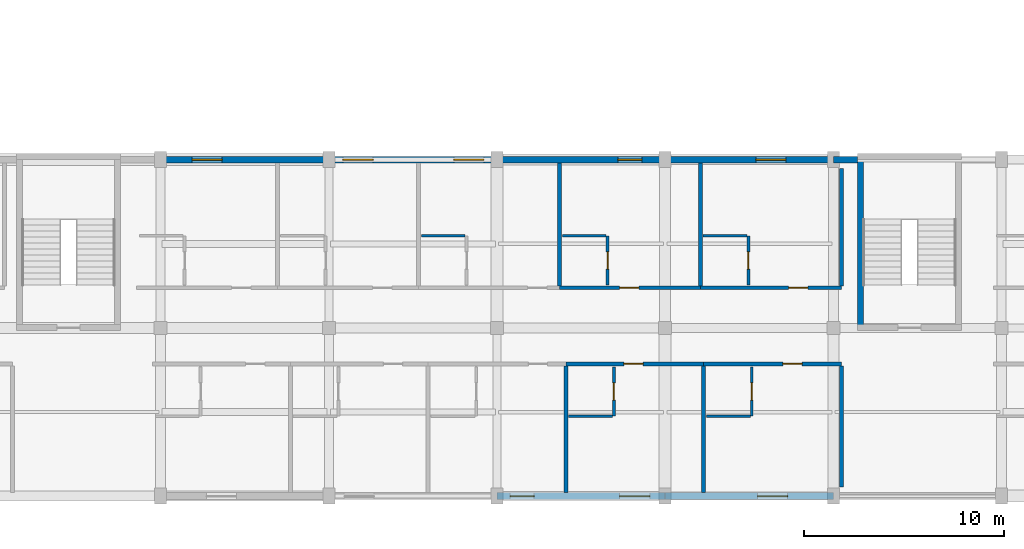
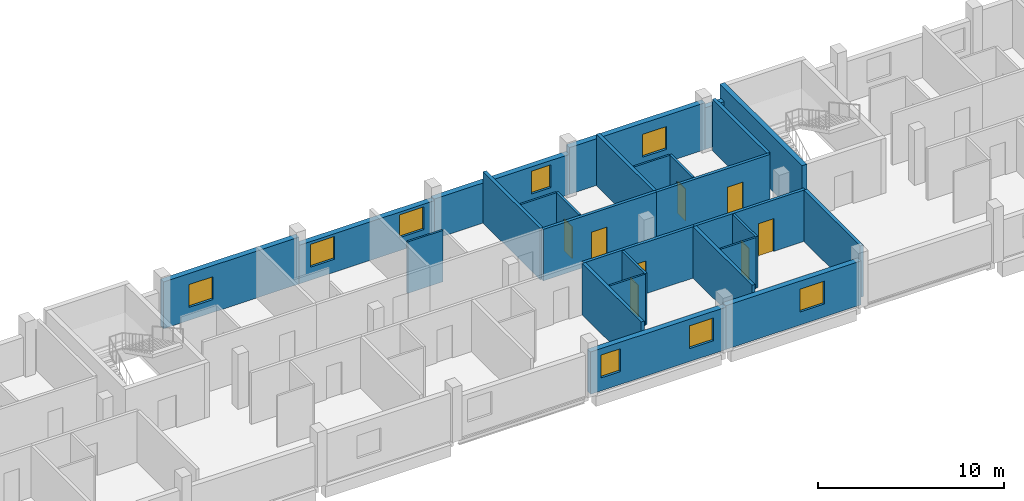
# One storey, part 20 of 26: 27 walls, 8 doors, 8 windows, 16 openings.
"""IFC4 building model written with IfcOpenShell, lengths in metres."""

from ifc_helpers import new_model, si_unit, derived_unit, direction, frame, frame_2d, origin, place, context, subcontext, project, spatial, rectangle, extrude, material, layer, layer_set, type_object, element, fill, save


model = new_model("IFC4")

# Units and contexts
model_context = context("Model", 3, precision=1e-05, world=origin(), true_north=direction((0.0, 1.0)))
body_context = subcontext(model_context, "Body", "Model", "MODEL_VIEW")
ifc_project = project(units=[si_unit("LENGTHUNIT", "METRE"), si_unit("AREAUNIT", "SQUARE_METRE"), si_unit("VOLUMEUNIT", "CUBIC_METRE"), si_unit("PLANEANGLEUNIT", "RADIAN"), si_unit("MASSUNIT", "GRAM", prefix="KILO"), derived_unit("THERMALTRANSMITTANCEUNIT", [(si_unit("POWERUNIT", "WATT"), 1), (si_unit("LENGTHUNIT", "METRE"), -2), (si_unit("THERMODYNAMICTEMPERATUREUNIT", "KELVIN"), -1)])], contexts=[model_context])

# Site, building, storey
site_placement = place(None, origin())
site = spatial("IfcSite", under=ifc_project, at=site_placement, CompositionType="ELEMENT")
building_placement = place(site_placement, origin())
building = spatial("IfcBuilding", under=site, at=building_placement, Name="Barrovel Congress Hotel", CompositionType="ELEMENT")
storey_placement = place(building_placement, frame((0.0, 0.0, 21.89990234375)))
storey = spatial("IfcBuildingStorey", under=building, at=storey_placement, Name="L05", CompositionType="ELEMENT", Elevation=21.89990234375)

# Wall, opening, window
ifc_material_1 = material(Name="Fired Clay Brick Masonry", Category="masonry")
ifc_layer_1 = layer(ifc_material_1, 0.340087890625)
ifc_layer_set_1 = layer_set([ifc_layer_1], Name="Fired Clay Brick Masonry")
wall_type_1 = type_object("IfcWallType", Name="EW-BRK340", PredefinedType="STANDARD", material=ifc_layer_set_1)
wall_1_placement = place(storey_placement, frame((142.800048828125, 21.0, 0.0), z_axis=(0.0, 0.0, 1.0), x_axis=(-1.0, 0.0, 0.0)))
wall_1 = element("IfcWall", 1, at=wall_1_placement, inside=storey, type_object=wall_type_1, Name="EW:L05:HS-NE-2", PredefinedType="STANDARD", context=body_context, shape_type="SweptSolid", body=[
    extrude(rectangle(XDim=8.400146484375, YDim=0.340087890625, at=frame_2d((4.2001953125, 0.0))), origin(), (0.0, 0.0, 1.0), 3.070068359375),
])
opening_1_placement = place(wall_1_placement, frame((2.3701171875, 0.0, 0.85009765625)))
opening_1 = element("IfcOpeningElement", 2, at=opening_1_placement, cuts=wall_1, Name="Opening WN-07", PredefinedType="OPENING", context=body_context, shape_type="SweptSolid", body=[
    extrude(rectangle(XDim=1.5, YDim=1.5, at=frame_2d((0.75, 0.75))), frame((0.0, 0.18017578125, 0.0), z_axis=(0.0, -1.0, 0.0), x_axis=(1.0, 0.0, 0.0)), (0.0, 0.0, 1.0), 0.360107421875),
])
ifc_material_2 = material(Name="Double Low-E Insulated Glazing", Category="glass")
window_type_1 = type_object("IfcWindowType", Name="WIN-WN-07", PartitioningType="SINGLE_PANEL", PredefinedType="WINDOW", material=ifc_material_2)
window_1_placement = place(opening_1_placement, origin())
window_1 = element("IfcWindow", 3, at=window_1_placement, inside=storey, type_object=window_type_1, Name="WIN:L05:U29", OverallHeight=1.5, OverallWidth=1.5, PartitioningType="SINGLE_PANEL", PredefinedType="WINDOW", context=body_context, shape_type="SweptSolid", body=[
    extrude(rectangle(XDim=1.5, YDim=1.5, at=frame_2d((0.75, 0.75))), frame((0.0, 0.030029296875, 0.0), z_axis=(0.0, -1.0, 0.0), x_axis=(1.0, 0.0, 0.0)), (0.0, 0.0, 1.0), 0.06005859375),
])
fill(opening_1, window_1)

# Wall, openings, windows
wall_2_placement = place(storey_placement, frame((126.0, 4.199951171875, 0.0), z_axis=(0.0, 0.0, 1.0), x_axis=(1.0, 0.0, 0.0)))
wall_2 = element("IfcWall", 4, at=wall_2_placement, inside=storey, type_object=wall_type_1, Name="EW:L05:HS-S:P12", PredefinedType="STANDARD", context=body_context, shape_type="SweptSolid", body=[
    extrude(rectangle(XDim=8.39990234375, YDim=0.340087890625, at=frame_2d((4.199951171875, 0.0))), origin(), (0.0, 0.0, 1.0), 2.780029296875),
])
opening_2_placement = place(wall_2_placement, frame((0.64990234375, 0.0, 0.85009765625)))
opening_2 = element("IfcOpeningElement", 5, at=opening_2_placement, cuts=wall_2, Name="Opening WN-06", PredefinedType="OPENING", context=body_context, shape_type="SweptSolid", body=[
    extrude(rectangle(XDim=1.199951171875, YDim=1.5, at=frame_2d((0.60009765625, 0.75))), frame((0.0, 0.18017578125, 0.0), z_axis=(0.0, -1.0, 0.0), x_axis=(1.0, 0.0, 0.0)), (0.0, 0.0, 1.0), 0.360107421875),
])
opening_3_placement = place(wall_2_placement, frame((6.1298828125, 0.0, 0.85009765625)))
opening_3 = element("IfcOpeningElement", 6, at=opening_3_placement, cuts=wall_2, Name="Opening WN-07", PredefinedType="OPENING", context=body_context, shape_type="SweptSolid", body=[
    extrude(rectangle(XDim=1.5, YDim=1.5, at=frame_2d((0.75, 0.75))), frame((0.0, 0.18017578125, 0.0), z_axis=(0.0, -1.0, 0.0), x_axis=(1.0, 0.0, 0.0)), (0.0, 0.0, 1.0), 0.360107421875),
])
window_type_2 = type_object("IfcWindowType", Name="WIN-WN-06", PartitioningType="SINGLE_PANEL", PredefinedType="WINDOW", material=ifc_material_2)
window_2_placement = place(opening_2_placement, origin())
window_2 = element("IfcWindow", 7, at=window_2_placement, inside=storey, type_object=window_type_2, Name="WIN:L05:U16", OverallHeight=1.5, OverallWidth=1.199951171875, PartitioningType="SINGLE_PANEL", PredefinedType="WINDOW", context=body_context, shape_type="SweptSolid", body=[
    extrude(rectangle(XDim=1.199951171875, YDim=1.5, at=frame_2d((0.60009765625, 0.75))), frame((0.0, 0.030029296875, 0.0), z_axis=(0.0, -1.0, 0.0), x_axis=(1.0, 0.0, 0.0)), (0.0, 0.0, 1.0), 0.06005859375),
])
fill(opening_2, window_2)
window_3_placement = place(opening_3_placement, origin())
window_3 = element("IfcWindow", 8, at=window_3_placement, inside=storey, type_object=window_type_1, Name="WIN:L05:U17", OverallHeight=1.5, OverallWidth=1.5, PartitioningType="SINGLE_PANEL", PredefinedType="WINDOW", context=body_context, shape_type="SweptSolid", body=[
    extrude(rectangle(XDim=1.5, YDim=1.5, at=frame_2d((0.75, 0.75))), frame((0.0, 0.030029296875, 0.0), z_axis=(0.0, -1.0, 0.0), x_axis=(1.0, 0.0, 0.0)), (0.0, 0.0, 1.0), 0.06005859375),
])
fill(opening_3, window_3)

# Wall, opening, window
wall_3_placement = place(storey_placement, frame((134.39990234375, 4.199951171875, 0.0), z_axis=(0.0, 0.0, 1.0), x_axis=(1.0, 0.0, 0.0)))
wall_3 = element("IfcWall", 9, at=wall_3_placement, inside=storey, type_object=wall_type_1, Name="EW:L05:HS-S:P13", PredefinedType="STANDARD", context=body_context, shape_type="SweptSolid", body=[
    extrude(rectangle(XDim=8.400146484375, YDim=0.340087890625, at=frame_2d((4.2001953125, 0.0))), origin(), (0.0, 0.0, 1.0), 2.880126953125),
])
opening_4_placement = place(wall_3_placement, frame((4.610107421875, 0.0, 0.85009765625)))
opening_4 = element("IfcOpeningElement", 10, at=opening_4_placement, cuts=wall_3, Name="Opening WN-07", PredefinedType="OPENING", context=body_context, shape_type="SweptSolid", body=[
    extrude(rectangle(XDim=1.5, YDim=1.5, at=frame_2d((0.75, 0.75))), frame((0.0, 0.18017578125, 0.0), z_axis=(0.0, -1.0, 0.0), x_axis=(1.0, 0.0, 0.0)), (0.0, 0.0, 1.0), 0.360107421875),
])
window_4_placement = place(opening_4_placement, origin())
window_4 = element("IfcWindow", 11, at=window_4_placement, inside=storey, type_object=window_type_1, Name="WIN:L05:U18", OverallHeight=1.5, OverallWidth=1.5, PartitioningType="SINGLE_PANEL", PredefinedType="WINDOW", context=body_context, shape_type="SweptSolid", body=[
    extrude(rectangle(XDim=1.5, YDim=1.5, at=frame_2d((0.75, 0.75))), frame((0.0, 0.030029296875, 0.0), z_axis=(0.0, -1.0, 0.0), x_axis=(1.0, 0.0, 0.0)), (0.0, 0.0, 1.0), 0.06005859375),
])
fill(opening_4, window_4)

# Wall
wall_4_placement = place(storey_placement, frame((144.0, 21.0, 0.0), z_axis=(0.0, 0.0, 1.0), x_axis=(-1.0, 0.0, 0.0)))
element("IfcWall", 12, at=wall_4_placement, inside=storey, type_object=wall_type_1, Name="EW:L05:HS-NE-2:P01", PredefinedType="STANDARD", context=body_context, shape_type="SweptSolid", body=[
    extrude(rectangle(XDim=1.199951171875, YDim=0.340087890625, at=frame_2d((0.60009765625, 0.0))), origin(), (0.0, 0.0, 1.0), 2.72998046875),
])

# Wall, opening, window
wall_5_placement = place(storey_placement, frame((134.39990234375, 21.0, 0.0), z_axis=(0.0, 0.0, 1.0), x_axis=(-1.0, 0.0, 0.0)))
wall_5 = element("IfcWall", 13, at=wall_5_placement, inside=storey, type_object=wall_type_1, Name="EW:L05:HS-NE-2:P03", PredefinedType="STANDARD", context=body_context, shape_type="SweptSolid", body=[
    extrude(rectangle(XDim=8.39990234375, YDim=0.340087890625, at=frame_2d((4.199951171875, 0.0))), origin(), (0.0, 0.0, 1.0), 2.630126953125),
])
opening_5_placement = place(wall_5_placement, frame((1.159912109375, 0.0, 0.85009765625)))
opening_5 = element("IfcOpeningElement", 14, at=opening_5_placement, cuts=wall_5, Name="Opening WN-06", PredefinedType="OPENING", context=body_context, shape_type="SweptSolid", body=[
    extrude(rectangle(XDim=1.199951171875, YDim=1.5, at=frame_2d((0.60009765625, 0.75))), frame((0.0, 0.18017578125, 0.0), z_axis=(0.0, -1.0, 0.0), x_axis=(1.0, 0.0, 0.0)), (0.0, 0.0, 1.0), 0.360107421875),
])
window_5_placement = place(opening_5_placement, origin())
window_5 = element("IfcWindow", 15, at=window_5_placement, inside=storey, type_object=window_type_2, Name="WIN:L05:U28", OverallHeight=1.5, OverallWidth=1.199951171875, PartitioningType="SINGLE_PANEL", PredefinedType="WINDOW", context=body_context, shape_type="SweptSolid", body=[
    extrude(rectangle(XDim=1.199951171875, YDim=1.5, at=frame_2d((0.60009765625, 0.75))), frame((0.0, 0.030029296875, 0.0), z_axis=(0.0, -1.0, 0.0), x_axis=(1.0, 0.0, 0.0)), (0.0, 0.0, 1.0), 0.06005859375),
])
fill(opening_5, window_5)

# Wall, openings, windows
wall_6_placement = place(storey_placement, frame((126.0, 21.0, 0.0), z_axis=(0.0, 0.0, 1.0), x_axis=(-1.0, 0.0, 0.0)))
wall_6 = element("IfcWall", 16, at=wall_6_placement, inside=storey, type_object=wall_type_1, Name="EW:L05:HS-NE-2:P04", PredefinedType="STANDARD", context=body_context, shape_type="SweptSolid", body=[
    extrude(rectangle(XDim=8.39990234375, YDim=0.340087890625, at=frame_2d((4.199951171875, 0.0))), origin(), (0.0, 0.0, 1.0), 2.530029296875),
])
opening_6_placement = place(wall_6_placement, frame((6.18994140625, 0.0, 0.85009765625)))
opening_6 = element("IfcOpeningElement", 17, at=opening_6_placement, cuts=wall_6, Name="Opening WN-07", PredefinedType="OPENING", context=body_context, shape_type="SweptSolid", body=[
    extrude(rectangle(XDim=1.5, YDim=1.5, at=frame_2d((0.75, 0.75))), frame((0.0, 0.18017578125, 0.0), z_axis=(0.0, -1.0, 0.0), x_axis=(1.0, 0.0, 0.0)), (0.0, 0.0, 1.0), 0.360107421875),
])
opening_7_placement = place(wall_6_placement, frame((0.64990234375, 0.0, 0.85009765625)))
opening_7 = element("IfcOpeningElement", 18, at=opening_7_placement, cuts=wall_6, Name="Opening WN-07", PredefinedType="OPENING", context=body_context, shape_type="SweptSolid", body=[
    extrude(rectangle(XDim=1.5, YDim=1.5, at=frame_2d((0.75, 0.75))), frame((0.0, 0.18017578125, 0.0), z_axis=(0.0, -1.0, 0.0), x_axis=(1.0, 0.0, 0.0)), (0.0, 0.0, 1.0), 0.360107421875),
])
window_6_placement = place(opening_6_placement, origin())
window_6 = element("IfcWindow", 19, at=window_6_placement, inside=storey, type_object=window_type_1, Name="WIN:L05:U26", OverallHeight=1.5, OverallWidth=1.5, PartitioningType="SINGLE_PANEL", PredefinedType="WINDOW", context=body_context, shape_type="SweptSolid", body=[
    extrude(rectangle(XDim=1.5, YDim=1.5, at=frame_2d((0.75, 0.75))), frame((0.0, 0.030029296875, 0.0), z_axis=(0.0, -1.0, 0.0), x_axis=(1.0, 0.0, 0.0)), (0.0, 0.0, 1.0), 0.06005859375),
])
fill(opening_6, window_6)
window_7_placement = place(opening_7_placement, origin())
window_7 = element("IfcWindow", 20, at=window_7_placement, inside=storey, type_object=window_type_1, Name="WIN:L05:U27", OverallHeight=1.5, OverallWidth=1.5, PartitioningType="SINGLE_PANEL", PredefinedType="WINDOW", context=body_context, shape_type="SweptSolid", body=[
    extrude(rectangle(XDim=1.5, YDim=1.5, at=frame_2d((0.75, 0.75))), frame((0.0, 0.030029296875, 0.0), z_axis=(0.0, -1.0, 0.0), x_axis=(1.0, 0.0, 0.0)), (0.0, 0.0, 1.0), 0.06005859375),
])
fill(opening_7, window_7)

# Wall, opening, window
wall_7_placement = place(storey_placement, frame((117.60009765625, 21.0, 0.0), z_axis=(0.0, 0.0, 1.0), x_axis=(-1.0, 0.0, 0.0)))
wall_7 = element("IfcWall", 21, at=wall_7_placement, inside=storey, type_object=wall_type_1, Name="EW:L05:HS-NE-2:P05", PredefinedType="STANDARD", context=body_context, shape_type="SweptSolid", body=[
    extrude(rectangle(XDim=8.400146484375, YDim=0.340087890625, at=frame_2d((4.2001953125, 0.0))), origin(), (0.0, 0.0, 1.0), 3.0751953125),
])
opening_8_placement = place(wall_7_placement, frame((5.330078125, 0.0, 0.85009765625)))
opening_8 = element("IfcOpeningElement", 22, at=opening_8_placement, cuts=wall_7, Name="Opening WN-07", PredefinedType="OPENING", context=body_context, shape_type="SweptSolid", body=[
    extrude(rectangle(XDim=1.5, YDim=1.5, at=frame_2d((0.75, 0.75))), frame((0.0, 0.18017578125, 0.0), z_axis=(0.0, -1.0, 0.0), x_axis=(1.0, 0.0, 0.0)), (0.0, 0.0, 1.0), 0.360107421875),
])
window_8_placement = place(opening_8_placement, origin())
window_8 = element("IfcWindow", 23, at=window_8_placement, inside=storey, type_object=window_type_1, Name="WIN:L05:U25", OverallHeight=1.5, OverallWidth=1.5, PartitioningType="SINGLE_PANEL", PredefinedType="WINDOW", context=body_context, shape_type="SweptSolid", body=[
    extrude(rectangle(XDim=1.5, YDim=1.5, at=frame_2d((0.75, 0.75))), frame((0.0, 0.030029296875, 0.0), z_axis=(0.0, -1.0, 0.0), x_axis=(1.0, 0.0, 0.0)), (0.0, 0.0, 1.0), 0.06005859375),
])
fill(opening_8, window_8)

# Wall, opening, door
ifc_material_3 = material(Name="Gypsum Acoustic Stud", Category="gypsum")
ifc_layer_2 = layer(ifc_material_3, 0.179931640625)
ifc_layer_set_2 = layer_set([ifc_layer_2], Name="Gypsum Acoustic Stud")
wall_type_2 = type_object("IfcWallType", Name="PW-ACU-180", PredefinedType="PARTITIONING", material=ifc_layer_set_2)
wall_8_placement = place(storey_placement, frame((129.43994140625, 10.800048828125, 0.0), z_axis=(0.0, 0.0, 1.0), x_axis=(1.0, 0.0, 0.0)))
wall_8 = element("IfcWall", 24, at=wall_8_placement, inside=storey, type_object=wall_type_2, Name="PW:L05:U17:COR", PredefinedType="PARTITIONING", context=body_context, shape_type="SweptSolid", body=[
    extrude(rectangle(XDim=6.880126953125, YDim=0.179931640625, at=frame_2d((3.43994140625, 0.0))), origin(), (0.0, 0.0, 1.0), 3.375),
])
opening_9_placement = place(wall_8_placement, frame((2.902587890625, 0.0, 0.0)))
opening_9 = element("IfcOpeningElement", 25, at=opening_9_placement, cuts=wall_8, Name="Opening ID-HTL", PredefinedType="OPENING", context=body_context, shape_type="SweptSolid", body=[
    extrude(rectangle(XDim=0.9599609375, YDim=2.14990234375, at=frame_2d((0.47998046875, 1.074951171875))), frame((0.0, 0.10009765625, 0.0), z_axis=(0.0, -1.0, 0.0), x_axis=(1.0, 0.0, 0.0)), (0.0, 0.0, 1.0), 0.199951171875),
])
ifc_material_4 = material(Name="Solid Oak Acoustic Timber Door", Category="wood")
door_type_1 = type_object("IfcDoorType", Name="IDR-ID-HTL", OperationType="NOTDEFINED", PredefinedType="DOOR", material=ifc_material_4)
door_1_placement = place(opening_9_placement, origin())
door_1 = element("IfcDoor", 26, at=door_1_placement, inside=storey, type_object=door_type_1, Name="DR:L05:U17:ENT", OperationType="SINGLE_SWING_RIGHT", OverallHeight=2.14990234375, OverallWidth=0.9599609375, PredefinedType="DOOR", context=body_context, shape_type="SweptSolid", body=[
    extrude(rectangle(XDim=0.9599609375, YDim=2.14990234375, at=frame_2d((0.47998046875, 1.074951171875))), frame((0.0, 0.02490234375, 0.0), z_axis=(0.0, -1.0, 0.0), x_axis=(1.0, 0.0, 0.0)), (0.0, 0.0, 1.0), 0.050048828125),
])
fill(opening_9, door_1)

wall_9_placement = place(storey_placement, frame((136.320068359375, 10.800048828125, 0.0), z_axis=(0.0, 0.0, 1.0), x_axis=(1.0, 0.0, 0.0)))
wall_9 = element("IfcWall", 27, at=wall_9_placement, inside=storey, type_object=wall_type_2, Name="PW:L05:U18:COR", PredefinedType="PARTITIONING", context=body_context, shape_type="SweptSolid", body=[
    extrude(rectangle(XDim=6.8798828125, YDim=0.179931640625, at=frame_2d((3.43994140625, 0.0))), origin(), (0.0, 0.0, 1.0), 3.375),
])
opening_10_placement = place(wall_9_placement, frame((3.95263671875, 0.0, 0.0)))
opening_10 = element("IfcOpeningElement", 28, at=opening_10_placement, cuts=wall_9, Name="Opening ID-HTL", PredefinedType="OPENING", context=body_context, shape_type="SweptSolid", body=[
    extrude(rectangle(XDim=0.9599609375, YDim=2.14990234375, at=frame_2d((0.47998046875, 1.074951171875))), frame((0.0, 0.10009765625, 0.0), z_axis=(0.0, -1.0, 0.0), x_axis=(1.0, 0.0, 0.0)), (0.0, 0.0, 1.0), 0.199951171875),
])
door_2_placement = place(opening_10_placement, origin())
door_2 = element("IfcDoor", 29, at=door_2_placement, inside=storey, type_object=door_type_1, Name="DR:L05:U18:ENT", OperationType="SINGLE_SWING_RIGHT", OverallHeight=2.14990234375, OverallWidth=0.9599609375, PredefinedType="DOOR", context=body_context, shape_type="SweptSolid", body=[
    extrude(rectangle(XDim=0.9599609375, YDim=2.14990234375, at=frame_2d((0.47998046875, 1.074951171875))), frame((0.0, 0.02490234375, 0.0), z_axis=(0.0, -1.0, 0.0), x_axis=(1.0, 0.0, 0.0)), (0.0, 0.0, 1.0), 0.050048828125),
])
fill(opening_10, door_2)

wall_10_placement = place(storey_placement, frame((129.1201171875, 14.60009765625, 0.0), z_axis=(0.0, 0.0, 1.0), x_axis=(1.0, 0.0, 0.0)))
wall_10 = element("IfcWall", 30, at=wall_10_placement, inside=storey, type_object=wall_type_2, Name="PW:L05:U28:COR", PredefinedType="PARTITIONING", context=body_context, shape_type="SweptSolid", body=[
    extrude(rectangle(XDim=7.039794921875, YDim=0.179931640625, at=frame_2d((3.52001953125, 0.0))), origin(), (0.0, 0.0, 1.0), 3.375),
])
opening_11_placement = place(wall_10_placement, frame((3.001708984375, 0.0, 0.0)))
opening_11 = element("IfcOpeningElement", 31, at=opening_11_placement, cuts=wall_10, Name="Opening ID-HTL", PredefinedType="OPENING", context=body_context, shape_type="SweptSolid", body=[
    extrude(rectangle(XDim=0.9599609375, YDim=2.14990234375, at=frame_2d((0.47998046875, 1.074951171875))), frame((0.0, 0.10009765625, 0.0), z_axis=(0.0, -1.0, 0.0), x_axis=(1.0, 0.0, 0.0)), (0.0, 0.0, 1.0), 0.199951171875),
])
door_3_placement = place(opening_11_placement, origin())
door_3 = element("IfcDoor", 32, at=door_3_placement, inside=storey, type_object=door_type_1, Name="DR:L05:U28:ENT", OperationType="SINGLE_SWING_RIGHT", OverallHeight=2.14990234375, OverallWidth=0.9599609375, PredefinedType="DOOR", context=body_context, shape_type="SweptSolid", body=[
    extrude(rectangle(XDim=0.9599609375, YDim=2.14990234375, at=frame_2d((0.47998046875, 1.074951171875))), frame((0.0, 0.02490234375, 0.0), z_axis=(0.0, -1.0, 0.0), x_axis=(1.0, 0.0, 0.0)), (0.0, 0.0, 1.0), 0.050048828125),
])
fill(opening_11, door_3)

wall_11_placement = place(storey_placement, frame((136.159912109375, 14.60009765625, 0.0), z_axis=(0.0, 0.0, 1.0), x_axis=(1.0, 0.0, 0.0)))
wall_11 = element("IfcWall", 33, at=wall_11_placement, inside=storey, type_object=wall_type_2, Name="PW:L05:U29:COR", PredefinedType="PARTITIONING", context=body_context, shape_type="SweptSolid", body=[
    extrude(rectangle(XDim=7.0400390625, YDim=0.179931640625, at=frame_2d((3.52001953125, 0.0))), origin(), (0.0, 0.0, 1.0), 3.375),
])
opening_12_placement = place(wall_11_placement, frame((4.40185546875, 0.0, 0.0)))
opening_12 = element("IfcOpeningElement", 34, at=opening_12_placement, cuts=wall_11, Name="Opening ID-HTL", PredefinedType="OPENING", context=body_context, shape_type="SweptSolid", body=[
    extrude(rectangle(XDim=0.9599609375, YDim=2.14990234375, at=frame_2d((0.47998046875, 1.074951171875))), frame((0.0, 0.10009765625, 0.0), z_axis=(0.0, -1.0, 0.0), x_axis=(1.0, 0.0, 0.0)), (0.0, 0.0, 1.0), 0.199951171875),
])
door_4_placement = place(opening_12_placement, origin())
door_4 = element("IfcDoor", 35, at=door_4_placement, inside=storey, type_object=door_type_1, Name="DR:L05:U29:ENT", OperationType="SINGLE_SWING_RIGHT", OverallHeight=2.14990234375, OverallWidth=0.9599609375, PredefinedType="DOOR", context=body_context, shape_type="SweptSolid", body=[
    extrude(rectangle(XDim=0.9599609375, YDim=2.14990234375, at=frame_2d((0.47998046875, 1.074951171875))), frame((0.0, 0.02490234375, 0.0), z_axis=(0.0, -1.0, 0.0), x_axis=(1.0, 0.0, 0.0)), (0.0, 0.0, 1.0), 0.050048828125),
])
fill(opening_12, door_4)

# Walls
ifc_layer_3 = layer(ifc_material_3, 0.1201171875)
ifc_layer_set_3 = layer_set([ifc_layer_3], Name="Gypsum Acoustic Stud")
wall_type_3 = type_object("IfcWallType", Name="PW-INT-120", PredefinedType="PARTITIONING", material=ifc_layer_set_3)
for number, where, z_axis, x_axis, name in (
    (36, (129.580078125, 8.199951171875, 0.0), (0.0, 0.0, 1.0), (1.0, 0.0, 0.0), "PW:L05:U17:B2"),
    (37, (136.4599609375, 8.199951171875, 0.0), (0.0, 0.0, 1.0), (1.0, 0.0, 0.0), "PW:L05:U18:B2"),
    (38, (122.219970703125, 17.199951171875, 0.0), (0.0, 0.0, 1.0), (1.0, 0.0, 0.0), "PW:L05:U27:B2"),
    (39, (129.260009765625, 17.199951171875, 0.0), (0.0, 0.0, 1.0), (1.0, 0.0, 0.0), "PW:L05:U28:B2"),
    (40, (136.300048828125, 17.199951171875, 0.0), (0.0, 0.0, 1.0), (1.0, 0.0, 0.0), "PW:L05:U29:B2"),
):
    element("IfcWall", number, at=place(storey_placement, frame(where, z_axis=z_axis, x_axis=x_axis)), inside=storey, type_object=wall_type_3, Name=name, PredefinedType="PARTITIONING", context=body_context, shape_type="SweptSolid", body=[
        extrude(rectangle(XDim=2.18994140625, YDim=0.1201171875, at=frame_2d((1.094970703125, 0.0))), origin(), (0.0, 0.0, 1.0), 3.375),
    ])
ifc_layer_4 = layer(ifc_material_1, 0.199951171875)
ifc_layer_set_4 = layer_set([ifc_layer_4], Name="Fired Clay Brick Masonry")
wall_type_4 = type_object("IfcWallType", Name="PW-MAS-200", PredefinedType="PARTITIONING", material=ifc_layer_set_4)
for number, where, z_axis, x_axis, name in (
    (41, (129.43994140625, 4.3701171875, 0.0), (0.0, 0.0, 1.0), (0.0, 1.0, 0.0), "PW:L05:U16:DEM"),
    (42, (136.320068359375, 4.3701171875, 0.0), (0.0, 0.0, 1.0), (0.0, 1.0, 0.0), "PW:L05:U17:DEM"),
):
    element("IfcWall", number, at=place(storey_placement, frame(where, z_axis=z_axis, x_axis=x_axis)), inside=storey, type_object=wall_type_4, Name=name, PredefinedType="PARTITIONING", context=body_context, shape_type="SweptSolid", body=[
        extrude(rectangle(XDim=6.33984375, YDim=0.199951171875, at=frame_2d((3.169921875, 0.0))), origin(), (0.0, 0.0, 1.0), 3.375),
    ])
wall_12_placement = place(storey_placement, frame((143.199951171875, 4.64990234375, 0.0), z_axis=(0.0, 0.0, 1.0), x_axis=(0.0, 1.0, 0.0)))
element("IfcWall", 43, at=wall_12_placement, inside=storey, type_object=wall_type_4, Name="PW:L05:U18:DEM", PredefinedType="PARTITIONING", context=body_context, shape_type="SweptSolid", body=[
    extrude(rectangle(XDim=6.06005859375, YDim=0.199951171875, at=frame_2d((3.030029296875, 0.0))), origin(), (0.0, 0.0, 1.0), 3.375),
])
for number, where, z_axis, x_axis, name in (
    (44, (129.1201171875, 14.68994140625, 0.0), (0.0, 0.0, 1.0), (0.0, 1.0, 0.0), "PW:L05:U27:DEM"),
    (45, (136.159912109375, 14.68994140625, 0.0), (0.0, 0.0, 1.0), (0.0, 1.0, 0.0), "PW:L05:U28:DEM"),
):
    element("IfcWall", number, at=place(storey_placement, frame(where, z_axis=z_axis, x_axis=x_axis)), inside=storey, type_object=wall_type_4, Name=name, PredefinedType="PARTITIONING", context=body_context, shape_type="SweptSolid", body=[
        extrude(rectangle(XDim=6.14013671875, YDim=0.199951171875, at=frame_2d((3.070068359375, 0.0))), origin(), (0.0, 0.0, 1.0), 3.375),
    ])
wall_13_placement = place(storey_placement, frame((143.199951171875, 14.68994140625, 0.0), z_axis=(0.0, 0.0, 1.0), x_axis=(0.0, 1.0, 0.0)))
element("IfcWall", 46, at=wall_13_placement, inside=storey, type_object=wall_type_4, Name="PW:L05:U29:DEM", PredefinedType="PARTITIONING", context=body_context, shape_type="SweptSolid", body=[
    extrude(rectangle(XDim=5.860107421875, YDim=0.199951171875, at=frame_2d((2.93017578125, 0.0))), origin(), (0.0, 0.0, 1.0), 3.375),
])

# Wall, opening, door
ifc_material_5 = material(Name="Gypsum Moisture Board", Category="gypsum")
ifc_layer_5 = layer(ifc_material_5, 0.139892578125)
ifc_layer_set_5 = layer_set([ifc_layer_5], Name="Gypsum Moisture Board")
wall_type_5 = type_object("IfcWallType", Name="PW-WET-140", PredefinedType="PARTITIONING", material=ifc_layer_set_5)
wall_14_placement = place(storey_placement, frame((131.840087890625, 8.199951171875, 0.0), z_axis=(0.0, 0.0, 1.0), x_axis=(0.0, 1.0, 0.0)))
wall_14 = element("IfcWall", 47, at=wall_14_placement, inside=storey, type_object=wall_type_5, Name="PW:L05:U17:B1", PredefinedType="PARTITIONING", context=body_context, shape_type="SweptSolid", body=[
    extrude(rectangle(XDim=2.4599609375, YDim=0.139892578125, at=frame_2d((1.22998046875, 0.0))), origin(), (0.0, 0.0, 1.0), 3.375),
])
opening_13_placement = place(wall_14_placement, frame((0.800048828125, 0.0, 0.0)))
opening_13 = element("IfcOpeningElement", 48, at=opening_13_placement, cuts=wall_14, Name="Opening ID-ENS", PredefinedType="OPENING", context=body_context, shape_type="SweptSolid", body=[
    extrude(rectangle(XDim=0.860107421875, YDim=2.10009765625, at=frame_2d((0.43017578125, 1.050048828125))), frame((0.0, 0.080078125, 0.0), z_axis=(0.0, -1.0, 0.0), x_axis=(1.0, 0.0, 0.0)), (0.0, 0.0, 1.0), 0.159912109375),
])
ifc_material_6 = material(Name="Lacquered Timber Moisture Door", Category="wood")
door_type_2 = type_object("IfcDoorType", Name="IDR-ID-ENS", OperationType="NOTDEFINED", PredefinedType="DOOR", material=ifc_material_6)
door_5_placement = place(opening_13_placement, origin())
door_5 = element("IfcDoor", 49, at=door_5_placement, inside=storey, type_object=door_type_2, Name="DR:L05:U17:ENS", OperationType="SINGLE_SWING_LEFT", OverallHeight=2.10009765625, OverallWidth=0.860107421875, PredefinedType="DOOR", context=body_context, shape_type="SweptSolid", body=[
    extrude(rectangle(XDim=0.860107421875, YDim=2.10009765625, at=frame_2d((0.43017578125, 1.050048828125))), frame((0.0, 0.02490234375, 0.0), z_axis=(0.0, -1.0, 0.0), x_axis=(1.0, 0.0, 0.0)), (0.0, 0.0, 1.0), 0.050048828125),
])
fill(opening_13, door_5)

wall_15_placement = place(storey_placement, frame((138.719970703125, 8.199951171875, 0.0), z_axis=(0.0, 0.0, 1.0), x_axis=(0.0, 1.0, 0.0)))
wall_15 = element("IfcWall", 50, at=wall_15_placement, inside=storey, type_object=wall_type_5, Name="PW:L05:U18:B1", PredefinedType="PARTITIONING", context=body_context, shape_type="SweptSolid", body=[
    extrude(rectangle(XDim=2.4599609375, YDim=0.139892578125, at=frame_2d((1.22998046875, 0.0))), origin(), (0.0, 0.0, 1.0), 3.375),
])
opening_14_placement = place(wall_15_placement, frame((0.800048828125, 0.0, 0.0)))
opening_14 = element("IfcOpeningElement", 51, at=opening_14_placement, cuts=wall_15, Name="Opening ID-ENS", PredefinedType="OPENING", context=body_context, shape_type="SweptSolid", body=[
    extrude(rectangle(XDim=0.860107421875, YDim=2.10009765625, at=frame_2d((0.43017578125, 1.050048828125))), frame((0.0, 0.080078125, 0.0), z_axis=(0.0, -1.0, 0.0), x_axis=(1.0, 0.0, 0.0)), (0.0, 0.0, 1.0), 0.159912109375),
])
door_6_placement = place(opening_14_placement, origin())
door_6 = element("IfcDoor", 52, at=door_6_placement, inside=storey, type_object=door_type_2, Name="DR:L05:U18:ENS", OperationType="SINGLE_SWING_LEFT", OverallHeight=2.10009765625, OverallWidth=0.860107421875, PredefinedType="DOOR", context=body_context, shape_type="SweptSolid", body=[
    extrude(rectangle(XDim=0.860107421875, YDim=2.10009765625, at=frame_2d((0.43017578125, 1.050048828125))), frame((0.0, 0.02490234375, 0.0), z_axis=(0.0, -1.0, 0.0), x_axis=(1.0, 0.0, 0.0)), (0.0, 0.0, 1.0), 0.050048828125),
])
fill(opening_14, door_6)

wall_16_placement = place(storey_placement, frame((131.52001953125, 14.739990234375, 0.0), z_axis=(0.0, 0.0, 1.0), x_axis=(0.0, 1.0, 0.0)))
wall_16 = element("IfcWall", 53, at=wall_16_placement, inside=storey, type_object=wall_type_5, Name="PW:L05:U28:B1", PredefinedType="PARTITIONING", context=body_context, shape_type="SweptSolid", body=[
    extrude(rectangle(XDim=2.4599609375, YDim=0.139892578125, at=frame_2d((1.22998046875, 0.0))), origin(), (0.0, 0.0, 1.0), 3.375),
])
opening_15_placement = place(wall_16_placement, frame((0.800048828125, 0.0, 0.0)))
opening_15 = element("IfcOpeningElement", 54, at=opening_15_placement, cuts=wall_16, Name="Opening ID-ENS", PredefinedType="OPENING", context=body_context, shape_type="SweptSolid", body=[
    extrude(rectangle(XDim=0.860107421875, YDim=2.10009765625, at=frame_2d((0.43017578125, 1.050048828125))), frame((0.0, 0.080078125, 0.0), z_axis=(0.0, -1.0, 0.0), x_axis=(1.0, 0.0, 0.0)), (0.0, 0.0, 1.0), 0.159912109375),
])
door_7_placement = place(opening_15_placement, origin())
door_7 = element("IfcDoor", 55, at=door_7_placement, inside=storey, type_object=door_type_2, Name="DR:L05:U28:ENS", OperationType="SINGLE_SWING_LEFT", OverallHeight=2.10009765625, OverallWidth=0.860107421875, PredefinedType="DOOR", context=body_context, shape_type="SweptSolid", body=[
    extrude(rectangle(XDim=0.860107421875, YDim=2.10009765625, at=frame_2d((0.43017578125, 1.050048828125))), frame((0.0, 0.02490234375, 0.0), z_axis=(0.0, -1.0, 0.0), x_axis=(1.0, 0.0, 0.0)), (0.0, 0.0, 1.0), 0.050048828125),
])
fill(opening_15, door_7)

wall_17_placement = place(storey_placement, frame((138.56005859375, 14.739990234375, 0.0), z_axis=(0.0, 0.0, 1.0), x_axis=(0.0, 1.0, 0.0)))
wall_17 = element("IfcWall", 56, at=wall_17_placement, inside=storey, type_object=wall_type_5, Name="PW:L05:U29:B1", PredefinedType="PARTITIONING", context=body_context, shape_type="SweptSolid", body=[
    extrude(rectangle(XDim=2.4599609375, YDim=0.139892578125, at=frame_2d((1.22998046875, 0.0))), origin(), (0.0, 0.0, 1.0), 3.375),
])
opening_16_placement = place(wall_17_placement, frame((0.800048828125, 0.0, 0.0)))
opening_16 = element("IfcOpeningElement", 57, at=opening_16_placement, cuts=wall_17, Name="Opening ID-ENS", PredefinedType="OPENING", context=body_context, shape_type="SweptSolid", body=[
    extrude(rectangle(XDim=0.860107421875, YDim=2.10009765625, at=frame_2d((0.43017578125, 1.050048828125))), frame((0.0, 0.080078125, 0.0), z_axis=(0.0, -1.0, 0.0), x_axis=(1.0, 0.0, 0.0)), (0.0, 0.0, 1.0), 0.159912109375),
])
door_8_placement = place(opening_16_placement, origin())
door_8 = element("IfcDoor", 58, at=door_8_placement, inside=storey, type_object=door_type_2, Name="DR:L05:U29:ENS", OperationType="SINGLE_SWING_LEFT", OverallHeight=2.10009765625, OverallWidth=0.860107421875, PredefinedType="DOOR", context=body_context, shape_type="SweptSolid", body=[
    extrude(rectangle(XDim=0.860107421875, YDim=2.10009765625, at=frame_2d((0.43017578125, 1.050048828125))), frame((0.0, 0.02490234375, 0.0), z_axis=(0.0, -1.0, 0.0), x_axis=(1.0, 0.0, 0.0)), (0.0, 0.0, 1.0), 0.050048828125),
])
fill(opening_16, door_8)

# Wall
ifc_material_7 = material(Name="Concrete C40", Category="concrete")
ifc_layer_6 = layer(ifc_material_7, 0.300048828125)
ifc_layer_set_6 = layer_set([ifc_layer_6], Name="Concrete C40")
wall_type_6 = type_object("IfcWallType", Name="SW-C40-300", PredefinedType="SHEAR", material=ifc_layer_set_6)
wall_18_placement = place(storey_placement, frame((144.14990234375, 21.300048828125, 0.0), z_axis=(0.0, 0.0, 1.0), x_axis=(0.0, -1.0, 0.0)))
element("IfcWall", 59, at=wall_18_placement, inside=storey, type_object=wall_type_6, Name="SHW:XS-04:L05:W", PredefinedType="SHEAR", context=body_context, shape_type="SweptSolid", body=[
    extrude(rectangle(XDim=8.840087890625, YDim=0.300048828125, at=frame_2d((4.419921875, 0.0))), origin(), (0.0, 0.0, 1.0), 3.60009765625),
])

save(model, "model.ifc")
